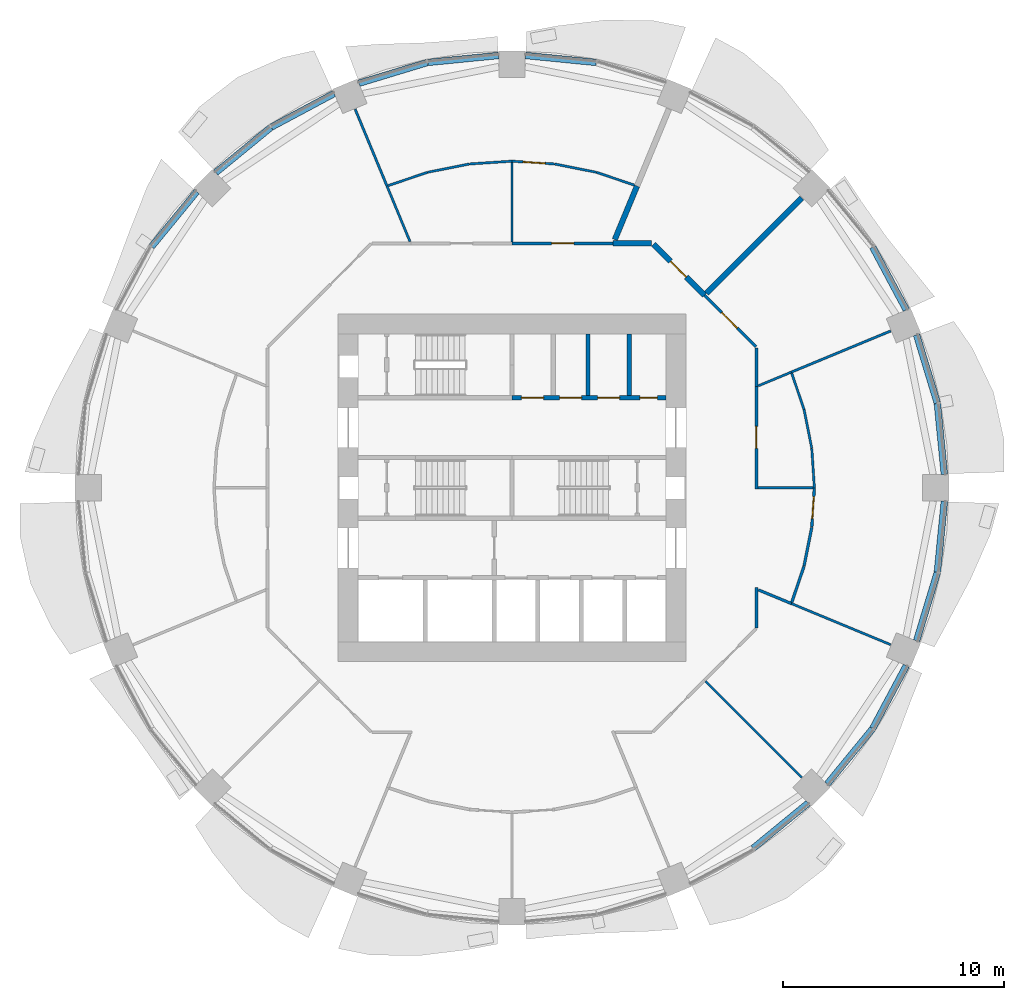
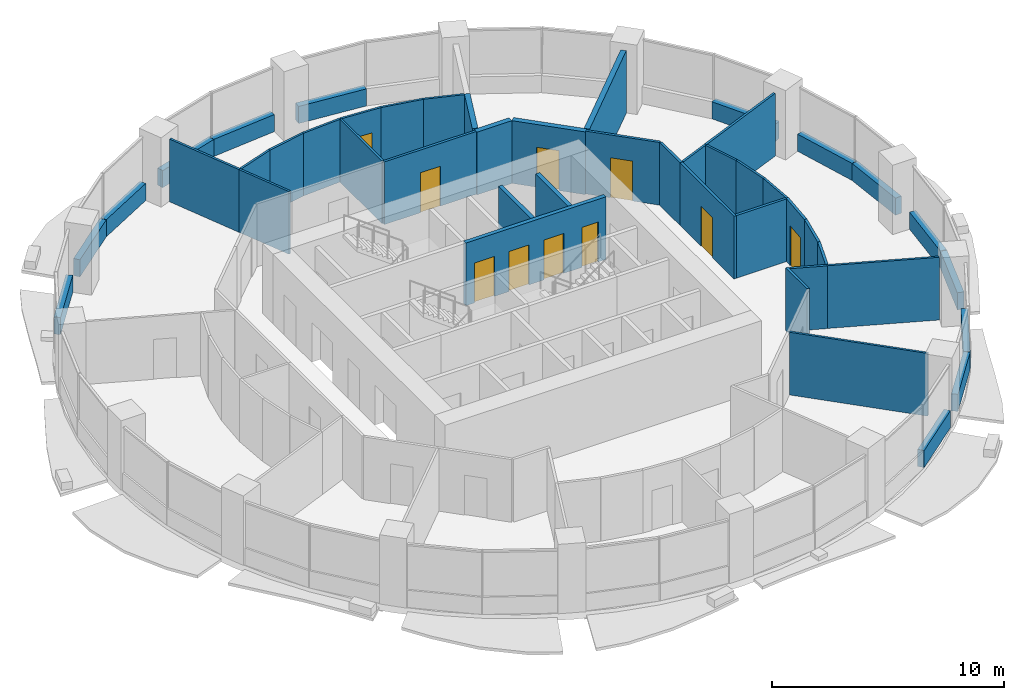
# One storey, part 10 of 15: 47 walls, 10 doors, 10 openings.
"""IFC4 building model written with IfcOpenShell, lengths in metres."""

from ifc_helpers import new_model, si_unit, direction, frame, frame_2d, origin, place, context, subcontext, project, spatial, rectangle, extrude, material, layer, layer_set, type_object, element, fill, save


model = new_model("IFC4")

# Units and contexts
model_context = context("Model", 3, precision=1e-05, world=origin(), true_north=direction((0.0, 1.0)))
body_context = subcontext(model_context, "Body", "Model", "MODEL_VIEW")
ifc_project = project(units=[si_unit("LENGTHUNIT", "METRE"), si_unit("AREAUNIT", "SQUARE_METRE"), si_unit("VOLUMEUNIT", "CUBIC_METRE"), si_unit("PLANEANGLEUNIT", "RADIAN"), si_unit("MASSUNIT", "GRAM", prefix="KILO")], contexts=[model_context])

# Site, building, storey
site_placement = place(None, origin())
site = spatial("IfcSite", under=ifc_project, at=site_placement, CompositionType="ELEMENT")
building_placement = place(site_placement, origin())
building = spatial("IfcBuilding", under=site, at=building_placement, Name="Polderwave Tower", CompositionType="ELEMENT")
storey_placement = place(building_placement, frame((0.0, 0.0, 29.85009765625)))
storey = spatial("IfcBuildingStorey", under=building, at=storey_placement, Name="L07", CompositionType="ELEMENT", Elevation=29.85009765625)

# Walls
ifc_material_1 = material(Name="Concrete C50/60 (board-marked)", Category="concrete")
ifc_layer_1 = layer(ifc_material_1, 0.300048828125)
ifc_layer_set_1 = layer_set([ifc_layer_1], Name="Concrete spandrel upstand C50/60")
wall_type_1 = type_object("IfcWallType", Name="Concrete spandrel upstand C50/60", PredefinedType="SOLIDWALL", material=ifc_layer_set_1)
for number, where, z_axis, x_axis, name in (
    (1, (19.589599609375, 0.61279296875, 0.0), (0.0, 0.0, 1.0), (-0.09816025243, 0.995170620971, 0.0), "Spandrel L07 1a"),
    (2, (19.267578125, 3.847412109375, 0.0), (0.0, 0.0, 1.0), (-0.290301899131, 0.956935111364, 0.0), "Spandrel L07 1b"),
):
    element("IfcWall", number, at=place(storey_placement, frame(where, z_axis=z_axis, x_axis=x_axis)), inside=storey, type_object=wall_type_1, Name=name, PredefinedType="SOLIDWALL", context=body_context, shape_type="SweptSolid", body=[
        extrude(rectangle(XDim=3.220947265625, YDim=0.300048828125, at=frame_2d((1.6103515625, 0.0))), origin(), (0.0, 0.0, 1.0), 0.89990234375),
    ])
wall_1_placement = place(storey_placement, frame((17.86279296875, 8.063232421875, 0.0), z_axis=(0.0, 0.0, 1.0), x_axis=(-0.471217656413, 0.882016961449, 0.0)))
element("IfcWall", 3, at=wall_1_placement, inside=storey, type_object=wall_type_1, Name="Spandrel L07 2a", PredefinedType="SOLIDWALL", context=body_context, shape_type="SweptSolid", body=[
    extrude(rectangle(XDim=3.220458984375, YDim=0.300048828125, at=frame_2d((1.6103515625, 0.0))), origin(), (0.0, 0.0, 1.0), 0.89990234375),
])
for number, where, z_axis, x_axis, name in (
    (4, (3.818115234375, 19.2734375, 0.0), (0.0, 0.0, 1.0), (-0.995170620971, 0.09816025243, 0.0), "Spandrel L07 4b"),
    (5, (-0.61279296875, 19.589599609375, 0.0), (0.0, 0.0, 1.0), (-0.995170620971, -0.09816025243, 0.0), "Spandrel L07 5a"),
    (6, (-3.847412109375, 19.267578125, 0.0), (0.0, 0.0, 1.0), (-0.956935111364, -0.290301899131, 0.0), "Spandrel L07 5b"),
):
    element("IfcWall", number, at=place(storey_placement, frame(where, z_axis=z_axis, x_axis=x_axis)), inside=storey, type_object=wall_type_1, Name=name, PredefinedType="SOLIDWALL", context=body_context, shape_type="SweptSolid", body=[
        extrude(rectangle(XDim=3.220947265625, YDim=0.300048828125, at=frame_2d((1.6103515625, 0.0))), origin(), (0.0, 0.0, 1.0), 0.89990234375),
    ])
wall_2_placement = place(storey_placement, frame((-8.063232421875, 17.86279296875, 0.0), z_axis=(0.0, 0.0, 1.0), x_axis=(-0.882016961449, -0.471217656413, 0.0)))
element("IfcWall", 7, at=wall_2_placement, inside=storey, type_object=wall_type_1, Name="Spandrel L07 6a", PredefinedType="SOLIDWALL", context=body_context, shape_type="SweptSolid", body=[
    extrude(rectangle(XDim=3.220458984375, YDim=0.300048828125, at=frame_2d((1.6103515625, 0.0))), origin(), (0.0, 0.0, 1.0), 0.89990234375),
])
for number, where, z_axis, x_axis, name in (
    (8, (-10.9287109375, 16.32861328125, 0.0), (0.0, 0.0, 1.0), (-0.773020947345, -0.634380496993, 0.0), "Spandrel L07 6b"),
    (9, (-14.285400390625, 13.41845703125, 0.0), (0.0, 0.0, 1.0), (-0.634380496993, -0.773020947345, 0.0), "Spandrel L07 7a"),
    (10, (10.9287109375, -16.32861328125, 0.0), (0.0, 0.0, 1.0), (0.773020947345, 0.634380496993, 0.0), "Spandrel L07 14b"),
    (11, (14.285400390625, -13.41845703125, 0.0), (0.0, 0.0, 1.0), (0.634380496993, 0.773020947345, 0.0), "Spandrel L07 15a"),
):
    element("IfcWall", number, at=place(storey_placement, frame(where, z_axis=z_axis, x_axis=x_axis)), inside=storey, type_object=wall_type_1, Name=name, PredefinedType="SOLIDWALL", context=body_context, shape_type="SweptSolid", body=[
        extrude(rectangle(XDim=3.220703125, YDim=0.300048828125, at=frame_2d((1.6103515625, 0.0))), origin(), (0.0, 0.0, 1.0), 0.89990234375),
    ])
wall_3_placement = place(storey_placement, frame((16.34521484375, -10.90380859375, 0.0), z_axis=(0.0, 0.0, 1.0), x_axis=(0.471217656413, 0.882016961449, 0.0)))
element("IfcWall", 12, at=wall_3_placement, inside=storey, type_object=wall_type_1, Name="Spandrel L07 15b", PredefinedType="SOLIDWALL", context=body_context, shape_type="SweptSolid", body=[
    extrude(rectangle(XDim=3.220458984375, YDim=0.300048828125, at=frame_2d((1.6103515625, 0.0))), origin(), (0.0, 0.0, 1.0), 0.89990234375),
])
for number, where, z_axis, x_axis, name in (
    (13, (18.33251953125, -6.9296875, 0.0), (0.0, 0.0, 1.0), (0.290301899131, 0.956935111364, 0.0), "Spandrel L07 16a"),
    (14, (19.2734375, -3.818115234375, 0.0), (0.0, 0.0, 1.0), (0.09816025243, 0.995170620971, 0.0), "Spandrel L07 16b"),
):
    element("IfcWall", number, at=place(storey_placement, frame(where, z_axis=z_axis, x_axis=x_axis)), inside=storey, type_object=wall_type_1, Name=name, PredefinedType="SOLIDWALL", context=body_context, shape_type="SweptSolid", body=[
        extrude(rectangle(XDim=3.220947265625, YDim=0.300048828125, at=frame_2d((1.6103515625, 0.0))), origin(), (0.0, 0.0, 1.0), 0.89990234375),
    ])
ifc_material_2 = material(Name="Gypsum board partition")
ifc_layer_2 = layer(ifc_material_2, 0.199951171875)
ifc_layer_set_2 = layer_set([ifc_layer_2], Name="Core room partition 200")
wall_type_2 = type_object("IfcWallType", Name="Core room partition 200", PredefinedType="PARTITIONING", material=ifc_layer_set_2)
wall_4_placement = place(storey_placement, frame((3.444580078125, 4.174072265625, 0.0), z_axis=(0.0, 0.0, 1.0), x_axis=(0.0, 1.0, 0.0)))
element("IfcWall", 15, at=wall_4_placement, inside=storey, type_object=wall_type_2, Name="L07 room partition N2", PredefinedType="PARTITIONING", context=body_context, shape_type="SweptSolid", body=[
    extrude(rectangle(XDim=2.800048828125, YDim=0.199951171875, at=frame_2d((1.39990234375, 0.0))), origin(), (0.0, 0.0, 1.0), 3.2998046875),
])

# Wall, openings, doors
ifc_material_3 = material(Name="Concrete C50/60", Category="concrete")
ifc_layer_3 = layer(ifc_material_3, 0.199951171875)
ifc_layer_set_3 = layer_set([ifc_layer_3], Name="Core web wall 200")
wall_type_3 = type_object("IfcWallType", Name="Core web wall 200", PredefinedType="SHEAR", material=ifc_layer_set_3)
wall_5_placement = place(storey_placement, frame((0.0, 4.073974609375, 0.0), z_axis=(0.0, 0.0, 1.0), x_axis=(1.0, 0.0, 0.0)))
wall_5 = element("IfcWall", 16, at=wall_5_placement, inside=storey, type_object=wall_type_3, Name="L07 north front wall 2", PredefinedType="SHEAR", context=body_context, shape_type="SweptSolid", body=[
    extrude(rectangle(XDim=6.97412109375, YDim=0.199951171875, at=frame_2d((3.487060546875, 0.0))), origin(), (0.0, 0.0, 1.0), 3.2998046875),
])
opening_1_placement = place(wall_5_placement, frame((0.430419921875, 0.0, 0.0)))
opening_1 = element("IfcOpeningElement", 17, at=opening_1_placement, cuts=wall_5, Name="Opening L07-D14", PredefinedType="OPENING", context=body_context, shape_type="SweptSolid", body=[
    extrude(rectangle(XDim=1.0, YDim=2.10009765625, at=frame_2d((0.5, 1.050048828125))), frame((0.0, 0.10986328125, 0.0), z_axis=(0.0, -1.0, 0.0), x_axis=(1.0, 0.0, 0.0)), (0.0, 0.0, 1.0), 0.219970703125),
])
opening_2_placement = place(wall_5_placement, frame((2.152587890625, 0.0, 0.0)))
opening_2 = element("IfcOpeningElement", 18, at=opening_2_placement, cuts=wall_5, Name="Opening L07-D15", PredefinedType="OPENING", context=body_context, shape_type="SweptSolid", body=[
    extrude(rectangle(XDim=1.0, YDim=2.10009765625, at=frame_2d((0.5, 1.050048828125))), frame((0.0, 0.10986328125, 0.0), z_axis=(0.0, -1.0, 0.0), x_axis=(1.0, 0.0, 0.0)), (0.0, 0.0, 1.0), 0.219970703125),
])
opening_3_placement = place(wall_5_placement, frame((3.875, 0.0, 0.0)))
opening_3 = element("IfcOpeningElement", 19, at=opening_3_placement, cuts=wall_5, Name="Opening L07-D16", PredefinedType="OPENING", context=body_context, shape_type="SweptSolid", body=[
    extrude(rectangle(XDim=1.0, YDim=2.10009765625, at=frame_2d((0.5, 1.050048828125))), frame((0.0, 0.10986328125, 0.0), z_axis=(0.0, -1.0, 0.0), x_axis=(1.0, 0.0, 0.0)), (0.0, 0.0, 1.0), 0.219970703125),
])
opening_4_placement = place(wall_5_placement, frame((5.789794921875, 0.0, 0.0)))
opening_4 = element("IfcOpeningElement", 20, at=opening_4_placement, cuts=wall_5, Name="Opening L07-D17", PredefinedType="OPENING", context=body_context, shape_type="SweptSolid", body=[
    extrude(rectangle(XDim=0.800048828125, YDim=2.10009765625, at=frame_2d((0.39990234375, 1.050048828125))), frame((0.0, 0.10986328125, 0.0), z_axis=(0.0, -1.0, 0.0), x_axis=(1.0, 0.0, 0.0)), (0.0, 0.0, 1.0), 0.219970703125),
])
ifc_material_4 = material(Name="Timber door leaf", Category="wood")
door_type_1 = type_object("IfcDoorType", Name="Accessible WC door 1000", OperationType="NOTDEFINED", PredefinedType="DOOR", material=ifc_material_4)
door_1_placement = place(opening_1_placement, origin())
door_1 = element("IfcDoor", 21, at=door_1_placement, inside=storey, type_object=door_type_1, Name="Accessible WC door", OperationType="SINGLE_SWING_LEFT", OverallHeight=2.10009765625, OverallWidth=1.0, PredefinedType="DOOR", context=body_context, shape_type="SweptSolid", body=[
    extrude(rectangle(XDim=1.0, YDim=2.10009765625, at=frame_2d((0.5, 1.050048828125))), frame((0.0, 0.02490234375, 0.0), z_axis=(0.0, -1.0, 0.0), x_axis=(1.0, 0.0, 0.0)), (0.0, 0.0, 1.0), 0.050048828125),
])
fill(opening_1, door_1)
ifc_material_5 = material(Name="Steel fire door", Category="steel")
door_type_2 = type_object("IfcDoorType", Name="Riser door 800", OperationType="NOTDEFINED", PredefinedType="DOOR", material=ifc_material_5)
door_2_placement = place(opening_4_placement, frame((0.800048828125, 0.0, 0.0), z_axis=(0.0, 0.0, 1.0), x_axis=(-1.0, 0.0, 0.0)))
door_2 = element("IfcDoor", 22, at=door_2_placement, inside=storey, type_object=door_type_2, Name="Riser door", OperationType="SINGLE_SWING_LEFT", OverallHeight=2.10009765625, OverallWidth=0.800048828125, PredefinedType="DOOR", context=body_context, shape_type="SweptSolid", body=[
    extrude(rectangle(XDim=0.800048828125, YDim=2.10009765625, at=frame_2d((0.39990234375, 1.050048828125))), frame((0.0, 0.02490234375, 0.0), z_axis=(0.0, -1.0, 0.0), x_axis=(1.0, 0.0, 0.0)), (0.0, 0.0, 1.0), 0.050048828125),
])
fill(opening_4, door_2)
door_type_3 = type_object("IfcDoorType", Name="Room door 1000", OperationType="NOTDEFINED", PredefinedType="DOOR", material=ifc_material_4)
door_3_placement = place(opening_2_placement, frame((1.0, 0.0, 0.0), z_axis=(0.0, 0.0, 1.0), x_axis=(-1.0, 0.0, 0.0)))
door_3 = element("IfcDoor", 23, at=door_3_placement, inside=storey, type_object=door_type_3, Name="Pump room door", OperationType="SINGLE_SWING_RIGHT", OverallHeight=2.10009765625, OverallWidth=1.0, PredefinedType="DOOR", context=body_context, shape_type="SweptSolid", body=[
    extrude(rectangle(XDim=1.0, YDim=2.10009765625, at=frame_2d((0.5, 1.050048828125))), frame((0.0, 0.02490234375, 0.0), z_axis=(0.0, -1.0, 0.0), x_axis=(1.0, 0.0, 0.0)), (0.0, 0.0, 1.0), 0.050048828125),
])
fill(opening_2, door_3)
door_4_placement = place(opening_3_placement, origin())
door_4 = element("IfcDoor", 24, at=door_4_placement, inside=storey, type_object=door_type_3, Name="Cleaner's store door", OperationType="SINGLE_SWING_RIGHT", OverallHeight=2.10009765625, OverallWidth=1.0, PredefinedType="DOOR", context=body_context, shape_type="SweptSolid", body=[
    extrude(rectangle(XDim=1.0, YDim=2.10009765625, at=frame_2d((0.5, 1.050048828125))), frame((0.0, 0.02490234375, 0.0), z_axis=(0.0, -1.0, 0.0), x_axis=(1.0, 0.0, 0.0)), (0.0, 0.0, 1.0), 0.050048828125),
])
fill(opening_3, door_4)

# Wall, opening, door
ifc_material_6 = material(Name="Fire-resisting board on steel studs", Category="steel")
ifc_layer_4 = layer(ifc_material_6, 0.125)
ifc_layer_set_4 = layer_set([ifc_layer_4], Name="Corridor wall 125 mm EI 60")
wall_type_4 = type_object("IfcWallType", Name="Corridor wall 125 mm EI 60", PredefinedType="PARTITIONING", material=ifc_layer_set_4)
wall_6_placement = place(storey_placement, frame((11.073974609375, 4.5869140625, 0.0), z_axis=(0.0, 0.0, 1.0), x_axis=(0.0, -1.0, 0.0)))
wall_6 = element("IfcWall", 25, at=wall_6_placement, inside=storey, type_object=wall_type_4, Name="IN-L07-W001", PredefinedType="PARTITIONING", context=body_context, shape_type="SweptSolid", body=[
    extrude(rectangle(XDim=4.6494140625, YDim=0.125, at=frame_2d((2.32470703125, 0.0))), origin(), (0.0, 0.0, 1.0), 3.2998046875),
])
opening_5_placement = place(wall_6_placement, frame((1.800048828125, 0.0, 0.0)))
opening_5 = element("IfcOpeningElement", 26, at=opening_5_placement, cuts=wall_6, Name="Opening L07-D50", PredefinedType="OPENING", context=body_context, shape_type="SweptSolid", body=[
    extrude(rectangle(XDim=1.0, YDim=2.10009765625, at=frame_2d((0.5, 1.050048828125))), frame((0.0, 0.072509765625, 0.0), z_axis=(0.0, -1.0, 0.0), x_axis=(1.0, 0.0, 0.0)), (0.0, 0.0, 1.0), 0.14501953125),
])
ifc_material_7 = material(Name="Timber fire door leaf", Category="wood")
door_type_4 = type_object("IfcDoorType", Name="Fire door FD30S 1000 x 2100", OperationType="NOTDEFINED", PredefinedType="DOOR", material=ifc_material_7)
door_5_placement = place(opening_5_placement, origin())
door_5 = element("IfcDoor", 27, at=door_5_placement, inside=storey, type_object=door_type_4, Name="Door L07-D50", OperationType="SINGLE_SWING_LEFT", OverallHeight=2.10009765625, OverallWidth=1.0, PredefinedType="DOOR", context=body_context, shape_type="SweptSolid", body=[
    extrude(rectangle(XDim=1.0, YDim=2.10009765625, at=frame_2d((0.5, 1.050048828125))), frame((0.0, 0.02490234375, 0.0), z_axis=(0.0, -1.0, 0.0), x_axis=(1.0, 0.0, 0.0)), (0.0, 0.0, 1.0), 0.050048828125),
])
fill(opening_5, door_5)

wall_7_placement = place(storey_placement, frame((8.722412109375, 8.722412109375, 0.0), z_axis=(0.0, 0.0, 1.0), x_axis=(0.707143776336, -0.707069784102, 0.0)))
wall_7 = element("IfcWall", 28, at=wall_7_placement, inside=storey, type_object=wall_type_4, Name="IN-L07-W002", PredefinedType="PARTITIONING", context=body_context, shape_type="SweptSolid", body=[
    extrude(rectangle(XDim=3.299560546875, YDim=0.125, at=frame_2d((1.64990234375, 0.0))), origin(), (0.0, 0.0, 1.0), 3.2998046875),
])
opening_6_placement = place(wall_7_placement, frame((1.10009765625, 0.0, 0.0)))
opening_6 = element("IfcOpeningElement", 29, at=opening_6_placement, cuts=wall_7, Name="Opening L07-D51", PredefinedType="OPENING", context=body_context, shape_type="SweptSolid", body=[
    extrude(rectangle(XDim=1.0, YDim=2.10009765625, at=frame_2d((0.5, 1.050048828125))), frame((0.0, 0.072509765625, 0.0), z_axis=(0.0, -1.0, 0.0), x_axis=(1.0, 0.0, 0.0)), (0.0, 0.0, 1.0), 0.14501953125),
])
door_6_placement = place(opening_6_placement, origin())
door_6 = element("IfcDoor", 30, at=door_6_placement, inside=storey, type_object=door_type_4, Name="Door L07-D51", OperationType="SINGLE_SWING_LEFT", OverallHeight=2.10009765625, OverallWidth=1.0, PredefinedType="DOOR", context=body_context, shape_type="SweptSolid", body=[
    extrude(rectangle(XDim=1.0, YDim=2.10009765625, at=frame_2d((0.5, 1.050048828125))), frame((0.0, 0.02490234375, 0.0), z_axis=(0.0, -1.0, 0.0), x_axis=(1.0, 0.0, 0.0)), (0.0, 0.0, 1.0), 0.050048828125),
])
fill(opening_6, door_6)

# Walls
wall_8_placement = place(storey_placement, frame((11.073974609375, 6.34521484375, 0.0), z_axis=(0.0, 0.0, 1.0), x_axis=(0.0, -1.0, 0.0)))
element("IfcWall", 31, at=wall_8_placement, inside=storey, type_object=wall_type_4, Name="IN-L07-W003", PredefinedType="PARTITIONING", context=body_context, shape_type="SweptSolid", body=[
    extrude(rectangle(XDim=1.75830078125, YDim=0.125, at=frame_2d((0.879150390625, 0.0))), origin(), (0.0, 0.0, 1.0), 3.2998046875),
])
wall_9_placement = place(storey_placement, frame((11.073974609375, -4.5244140625, 0.0), z_axis=(0.0, 0.0, 1.0), x_axis=(0.0, -1.0, 0.0)))
element("IfcWall", 32, at=wall_9_placement, inside=storey, type_object=wall_type_4, Name="IN-L07-W005", PredefinedType="PARTITIONING", context=body_context, shape_type="SweptSolid", body=[
    extrude(rectangle(XDim=1.82080078125, YDim=0.125, at=frame_2d((0.910400390625, 0.0))), origin(), (0.0, 0.0, 1.0), 3.2998046875),
])

# Wall, opening, door
wall_10_placement = place(storey_placement, frame((0.0, 11.073974609375, 0.0), z_axis=(0.0, 0.0, 1.0), x_axis=(1.0, 0.0, 0.0)))
wall_10 = element("IfcWall", 33, at=wall_10_placement, inside=storey, type_object=wall_type_4, Name="IN-L07-W008", PredefinedType="PARTITIONING", context=body_context, shape_type="SweptSolid", body=[
    extrude(rectangle(XDim=4.5869140625, YDim=0.125, at=frame_2d((2.29345703125, 0.0))), origin(), (0.0, 0.0, 1.0), 3.2998046875),
])
opening_7_placement = place(wall_10_placement, frame((1.800048828125, 0.0, 0.0)))
opening_7 = element("IfcOpeningElement", 34, at=opening_7_placement, cuts=wall_10, Name="Opening L07-D54", PredefinedType="OPENING", context=body_context, shape_type="SweptSolid", body=[
    extrude(rectangle(XDim=1.0, YDim=2.10009765625, at=frame_2d((0.5, 1.050048828125))), frame((0.0, 0.072509765625, 0.0), z_axis=(0.0, -1.0, 0.0), x_axis=(1.0, 0.0, 0.0)), (0.0, 0.0, 1.0), 0.14501953125),
])
door_7_placement = place(opening_7_placement, origin())
door_7 = element("IfcDoor", 35, at=door_7_placement, inside=storey, type_object=door_type_4, Name="Door L07-D54", OperationType="SINGLE_SWING_RIGHT", OverallHeight=2.10009765625, OverallWidth=1.0, PredefinedType="DOOR", context=body_context, shape_type="SweptSolid", body=[
    extrude(rectangle(XDim=1.0, YDim=2.10009765625, at=frame_2d((0.5, 1.050048828125))), frame((0.0, 0.02490234375, 0.0), z_axis=(0.0, -1.0, 0.0), x_axis=(1.0, 0.0, 0.0)), (0.0, 0.0, 1.0), 0.050048828125),
])
fill(opening_7, door_7)

# Walls
wall_11_placement = place(storey_placement, frame((12.6787109375, -5.1796875, 0.0), z_axis=(0.0, 0.0, 1.0), x_axis=(0.321414456213, 0.946938618569, 0.0)))
element("IfcWall", 36, at=wall_11_placement, inside=storey, type_object=wall_type_4, Name="IN-L07-W027", PredefinedType="PARTITIONING", context=body_context, shape_type="SweptSolid", body=[
    extrude(rectangle(XDim=1.72119140625, YDim=0.125, at=frame_2d((0.860595703125, 0.0))), origin(), (0.0, 0.0, 1.0), 3.2998046875),
])
wall_12_placement = place(storey_placement, frame((13.23388671875, -3.541748046875, 0.0), z_axis=(0.0, 0.0, 1.0), x_axis=(0.19516852136, 0.980769722346, 0.0)))
element("IfcWall", 37, at=wall_12_placement, inside=storey, type_object=wall_type_4, Name="IN-L07-W028", PredefinedType="PARTITIONING", context=body_context, shape_type="SweptSolid", body=[
    extrude(rectangle(XDim=1.783935546875, YDim=0.125, at=frame_2d((0.89208984375, 0.0))), origin(), (0.0, 0.0, 1.0), 3.2998046875),
])

# Wall, opening, door
wall_13_placement = place(storey_placement, frame((13.699951171875, 0.0, 0.0), z_axis=(0.0, 0.0, 1.0), x_axis=(-0.065404267719, -0.997858848617, 0.0)))
wall_13 = element("IfcWall", 38, at=wall_13_placement, inside=storey, type_object=wall_type_4, Name="IN-L07-W029", PredefinedType="PARTITIONING", context=body_context, shape_type="SweptSolid", body=[
    extrude(rectangle(XDim=1.7880859375, YDim=0.125, at=frame_2d((0.89404296875, 0.0))), origin(), (0.0, 0.0, 1.0), 3.2998046875),
])
opening_8_placement = place(wall_13_placement, frame((0.39990234375, 0.0, 0.0)))
opening_8 = element("IfcOpeningElement", 39, at=opening_8_placement, cuts=wall_13, Name="Opening L07-D62", PredefinedType="OPENING", context=body_context, shape_type="SweptSolid", body=[
    extrude(rectangle(XDim=1.0, YDim=2.10009765625, at=frame_2d((0.5, 1.050048828125))), frame((0.0, 0.072509765625, 0.0), z_axis=(0.0, -1.0, 0.0), x_axis=(1.0, 0.0, 0.0)), (0.0, 0.0, 1.0), 0.14501953125),
])
door_8_placement = place(opening_8_placement, origin())
door_8 = element("IfcDoor", 40, at=door_8_placement, inside=storey, type_object=door_type_4, Name="Door L07-D62", OperationType="SINGLE_SWING_RIGHT", OverallHeight=2.10009765625, OverallWidth=1.0, PredefinedType="DOOR", context=body_context, shape_type="SweptSolid", body=[
    extrude(rectangle(XDim=1.0, YDim=2.10009765625, at=frame_2d((0.5, 1.050048828125))), frame((0.0, 0.02490234375, 0.0), z_axis=(0.0, -1.0, 0.0), x_axis=(1.0, 0.0, 0.0)), (0.0, 0.0, 1.0), 0.050048828125),
])
fill(opening_8, door_8)

# Walls
wall_14_placement = place(storey_placement, frame((13.63330078125, 0.0, 0.0), z_axis=(0.0, 0.0, 1.0), x_axis=(-1.0, 0.0, 0.0)))
element("IfcWall", 41, at=wall_14_placement, inside=storey, type_object=wall_type_4, Name="IN-L07-W031", PredefinedType="PARTITIONING", context=body_context, shape_type="SweptSolid", body=[
    extrude(rectangle(XDim=2.496826171875, YDim=0.125, at=frame_2d((1.24853515625, 0.0))), origin(), (0.0, 0.0, 1.0), 3.2998046875),
])
wall_15_placement = place(storey_placement, frame((11.160400390625, -4.622802734375, 0.0), z_axis=(0.0, 0.0, 1.0), x_axis=(0.92383312361, -0.382795454155, 0.0)))
element("IfcWall", 42, at=wall_15_placement, inside=storey, type_object=wall_type_4, Name="IN-L07-W068", PredefinedType="PARTITIONING", context=body_context, shape_type="SweptSolid", body=[
    extrude(rectangle(XDim=1.619873046875, YDim=0.125, at=frame_2d((0.81005859375, 0.0))), origin(), (0.0, 0.0, 1.0), 3.2998046875),
])
ifc_material_8 = material(Name="Moisture-resistant board on steel studs, tiled", Category="steel")
ifc_layer_5 = layer(ifc_material_8, 0.10498046875)
ifc_layer_set_5 = layer_set([ifc_layer_5], Name="Partition 105 mm wet room board and tile")
wall_type_5 = type_object("IfcWallType", Name="Partition 105 mm wet room board and tile", PredefinedType="PARTITIONING", material=ifc_layer_set_5)
wall_16_placement = place(storey_placement, frame((13.232177734375, 3.549072265625, 0.0), z_axis=(0.0, 0.0, 1.0), x_axis=(-0.321556170711, 0.946890505327, 0.0)))
element("IfcWall", 43, at=wall_16_placement, inside=storey, type_object=wall_type_5, Name="IN-L07-W022", PredefinedType="PARTITIONING", context=body_context, shape_type="SweptSolid", body=[
    extrude(rectangle(XDim=1.730224609375, YDim=0.10498046875, at=frame_2d((0.865234375, 0.0))), origin(), (0.0, 0.0, 1.0), 3.2998046875),
])
wall_17_placement = place(storey_placement, frame((13.58203125, 1.79150390625, 0.0), z_axis=(0.0, 0.0, 1.0), x_axis=(-0.195011457743, 0.980800964186, 0.0)))
element("IfcWall", 44, at=wall_17_placement, inside=storey, type_object=wall_type_5, Name="IN-L07-W023", PredefinedType="PARTITIONING", context=body_context, shape_type="SweptSolid", body=[
    extrude(rectangle(XDim=1.78515625, YDim=0.10498046875, at=frame_2d((0.892578125, 0.0))), origin(), (0.0, 0.0, 1.0), 3.2998046875),
])
wall_18_placement = place(storey_placement, frame((13.699951171875, 0.0, 0.0), z_axis=(0.0, 0.0, 1.0), x_axis=(-0.065377544428, 0.997860599826, 0.0)))
element("IfcWall", 45, at=wall_18_placement, inside=storey, type_object=wall_type_5, Name="IN-L07-W024", PredefinedType="PARTITIONING", context=body_context, shape_type="SweptSolid", body=[
    extrude(rectangle(XDim=1.788818359375, YDim=0.10498046875, at=frame_2d((0.89453125, 0.0))), origin(), (0.0, 0.0, 1.0), 3.2998046875),
])
wall_19_placement = place(storey_placement, frame((17.156494140625, -7.1064453125, 0.0), z_axis=(0.0, 0.0, 1.0), x_axis=(-0.923896474602, 0.382642527978, 0.0)))
element("IfcWall", 46, at=wall_19_placement, inside=storey, type_object=wall_type_5, Name="IN-L07-W026", PredefinedType="PARTITIONING", context=body_context, shape_type="SweptSolid", body=[
    extrude(rectangle(XDim=4.8701171875, YDim=0.10498046875, at=frame_2d((2.43505859375, 0.0))), origin(), (0.0, 0.0, 1.0), 3.2998046875),
])
wall_20_placement = place(storey_placement, frame((11.156494140625, 4.62109375, 0.0), z_axis=(0.0, 0.0, 1.0), x_axis=(0.923813438205, 0.382842959178, 0.0)))
element("IfcWall", 47, at=wall_20_placement, inside=storey, type_object=wall_type_5, Name="IN-L07-W030", PredefinedType="PARTITIONING", context=body_context, shape_type="SweptSolid", body=[
    extrude(rectangle(XDim=1.624267578125, YDim=0.10498046875, at=frame_2d((0.81201171875, 0.0))), origin(), (0.0, 0.0, 1.0), 3.2998046875),
])

# Wall, opening, door
wall_21_placement = place(storey_placement, frame((0.0, 14.800048828125, 0.0), z_axis=(0.0, 0.0, 1.0), x_axis=(0.997856678607, -0.065437366694, 0.0)))
wall_21 = element("IfcWall", 48, at=wall_21_placement, inside=storey, type_object=wall_type_5, Name="IN-L07-W035", PredefinedType="PARTITIONING", context=body_context, shape_type="SweptSolid", body=[
    extrude(rectangle(XDim=1.9326171875, YDim=0.10498046875, at=frame_2d((0.96630859375, 0.0))), origin(), (0.0, 0.0, 1.0), 3.2998046875),
])
opening_9_placement = place(wall_21_placement, frame((0.5, 0.0, 0.0)))
opening_9 = element("IfcOpeningElement", 49, at=opening_9_placement, cuts=wall_21, Name="Opening L07-D63", PredefinedType="OPENING", context=body_context, shape_type="SweptSolid", body=[
    extrude(rectangle(XDim=1.0, YDim=2.10009765625, at=frame_2d((0.5, 1.050048828125))), frame((0.0, 0.0625, 0.0), z_axis=(0.0, -1.0, 0.0), x_axis=(1.0, 0.0, 0.0)), (0.0, 0.0, 1.0), 0.125),
])
ifc_material_9 = material(Name="Timber veneer door leaf", Category="wood")
door_type_5 = type_object("IfcDoorType", Name="Single door 1000 x 2100", OperationType="NOTDEFINED", PredefinedType="DOOR", material=ifc_material_9)
door_9_placement = place(opening_9_placement, origin())
door_9 = element("IfcDoor", 50, at=door_9_placement, inside=storey, type_object=door_type_5, Name="Door L07-D63", OperationType="SINGLE_SWING_RIGHT", OverallHeight=2.10009765625, OverallWidth=1.0, PredefinedType="DOOR", context=body_context, shape_type="SweptSolid", body=[
    extrude(rectangle(XDim=1.0, YDim=2.10009765625, at=frame_2d((0.5, 1.050048828125))), frame((0.0, 0.02490234375, 0.0), z_axis=(0.0, -1.0, 0.0), x_axis=(1.0, 0.0, 0.0)), (0.0, 0.0, 1.0), 0.050048828125),
])
fill(opening_9, door_9)

# Walls
wall_22_placement = place(storey_placement, frame((1.935302734375, 14.672607421875, 0.0), z_axis=(0.0, 0.0, 1.0), x_axis=(0.980794286951, -0.195045037578, 0.0)))
element("IfcWall", 51, at=wall_22_placement, inside=storey, type_object=wall_type_5, Name="IN-L07-W036", PredefinedType="PARTITIONING", context=body_context, shape_type="SweptSolid", body=[
    extrude(rectangle(XDim=1.928955078125, YDim=0.10498046875, at=frame_2d((0.96435546875, 0.0))), origin(), (0.0, 0.0, 1.0), 3.2998046875),
])
wall_23_placement = place(storey_placement, frame((3.833740234375, 14.294677734375, 0.0), z_axis=(0.0, 0.0, 1.0), x_axis=(0.946922795702, -0.321461069153, 0.0)))
element("IfcWall", 52, at=wall_23_placement, inside=storey, type_object=wall_type_5, Name="IN-L07-W037", PredefinedType="PARTITIONING", context=body_context, shape_type="SweptSolid", body=[
    extrude(rectangle(XDim=1.8037109375, YDim=0.10498046875, at=frame_2d((0.90185546875, 0.0))), origin(), (0.0, 0.0, 1.0), 3.2998046875),
])
wall_24_placement = place(storey_placement, frame((0.0, 11.136474609375, 0.0), z_axis=(0.0, 0.0, 1.0), x_axis=(0.0, 1.0, 0.0)))
element("IfcWall", 53, at=wall_24_placement, inside=storey, type_object=wall_type_5, Name="IN-L07-W038", PredefinedType="PARTITIONING", context=body_context, shape_type="SweptSolid", body=[
    extrude(rectangle(XDim=3.607421875, YDim=0.10498046875, at=frame_2d((1.8037109375, 0.0))), origin(), (0.0, 0.0, 1.0), 3.2998046875),
])
wall_25_placement = place(storey_placement, frame((-3.833740234375, 14.294677734375, 0.0), z_axis=(0.0, 0.0, 1.0), x_axis=(-0.946896557968, -0.321538346872, 0.0)))
element("IfcWall", 54, at=wall_25_placement, inside=storey, type_object=wall_type_5, Name="IN-L07-W039", PredefinedType="PARTITIONING", context=body_context, shape_type="SweptSolid", body=[
    extrude(rectangle(XDim=1.8740234375, YDim=0.10498046875, at=frame_2d((0.93701171875, 0.0))), origin(), (0.0, 0.0, 1.0), 3.2998046875),
])
wall_26_placement = place(storey_placement, frame((-1.935302734375, 14.672607421875, 0.0), z_axis=(0.0, 0.0, 1.0), x_axis=(-0.980794286951, -0.195045037578, 0.0)))
element("IfcWall", 55, at=wall_26_placement, inside=storey, type_object=wall_type_5, Name="IN-L07-W040", PredefinedType="PARTITIONING", context=body_context, shape_type="SweptSolid", body=[
    extrude(rectangle(XDim=1.928955078125, YDim=0.10498046875, at=frame_2d((0.96435546875, 0.0))), origin(), (0.0, 0.0, 1.0), 3.2998046875),
])
wall_27_placement = place(storey_placement, frame((0.0, 14.800048828125, 0.0), z_axis=(0.0, 0.0, 1.0), x_axis=(-0.997856678607, -0.065437366694, 0.0)))
element("IfcWall", 56, at=wall_27_placement, inside=storey, type_object=wall_type_5, Name="IN-L07-W041", PredefinedType="PARTITIONING", context=body_context, shape_type="SweptSolid", body=[
    extrude(rectangle(XDim=1.9326171875, YDim=0.10498046875, at=frame_2d((0.96630859375, 0.0))), origin(), (0.0, 0.0, 1.0), 3.2998046875),
])
wall_28_placement = place(storey_placement, frame((-4.62109375, 11.156494140625, 0.0), z_axis=(0.0, 0.0, 1.0), x_axis=(-0.382750161953, 0.923851889388, 0.0)))
element("IfcWall", 57, at=wall_28_placement, inside=storey, type_object=wall_type_5, Name="IN-L07-W043", PredefinedType="PARTITIONING", context=body_context, shape_type="SweptSolid", body=[
    extrude(rectangle(XDim=2.724365234375, YDim=0.10498046875, at=frame_2d((1.3623046875, 0.0))), origin(), (0.0, 0.0, 1.0), 3.2998046875),
])
wall_29_placement = place(storey_placement, frame((8.7666015625, -8.7666015625, 0.0), z_axis=(0.0, 0.0, 1.0), x_axis=(0.707106781187, -0.707106781187, 0.0)))
element("IfcWall", 58, at=wall_29_placement, inside=storey, type_object=wall_type_5, Name="IN-L07-W067", PredefinedType="PARTITIONING", context=body_context, shape_type="SweptSolid", body=[
    extrude(rectangle(XDim=6.17236328125, YDim=0.10498046875, at=frame_2d((3.086181640625, 0.0))), origin(), (0.0, 0.0, 1.0), 3.2998046875),
])
ifc_material_10 = material(Name="Acoustic double plasterboard on steel studs", Category="steel")
ifc_layer_6 = layer(ifc_material_10, 0.110107421875)
ifc_layer_set_6 = layer_set([ifc_layer_6], Name="Partition 110 mm acoustic double board")
wall_type_6 = type_object("IfcWallType", Name="Partition 110 mm acoustic double board", PredefinedType="PARTITIONING", material=ifc_layer_set_6)
wall_30_placement = place(storey_placement, frame((12.656982421875, 5.242919921875, 0.0), z_axis=(0.0, 0.0, 1.0), x_axis=(0.923896474602, 0.382642527978, 0.0)))
element("IfcWall", 59, at=wall_30_placement, inside=storey, type_object=wall_type_6, Name="IN-L07-W025", PredefinedType="PARTITIONING", context=body_context, shape_type="SweptSolid", body=[
    extrude(rectangle(XDim=4.8701171875, YDim=0.110107421875, at=frame_2d((2.43505859375, 0.0))), origin(), (0.0, 0.0, 1.0), 3.2998046875),
])
wall_31_placement = place(storey_placement, frame((-5.663818359375, 13.67333984375, 0.0), z_axis=(0.0, 0.0, 1.0), x_axis=(-0.38265110277, 0.923892923205, 0.0)))
element("IfcWall", 60, at=wall_31_placement, inside=storey, type_object=wall_type_6, Name="IN-L07-W042", PredefinedType="PARTITIONING", context=body_context, shape_type="SweptSolid", body=[
    extrude(rectangle(XDim=3.77001953125, YDim=0.110107421875, at=frame_2d((1.885009765625, 0.0))), origin(), (0.0, 0.0, 1.0), 3.2998046875),
])
ifc_material_11 = material(Name="Fire-resisting board on steel studs, mineral wool", Category="steel")
ifc_layer_7 = layer(ifc_material_11, 0.25)
ifc_layer_set_7 = layer_set([ifc_layer_7], Name="Plant room wall 250 mm EI 120")
wall_type_7 = type_object("IfcWallType", Name="Plant room wall 250 mm EI 120", PredefinedType="PARTITIONING", material=ifc_layer_set_7)
wall_32_placement = place(storey_placement, frame((4.5869140625, 11.073974609375, 0.0), z_axis=(0.0, 0.0, 1.0), x_axis=(1.0, 0.0, 0.0)))
element("IfcWall", 61, at=wall_32_placement, inside=storey, type_object=wall_type_7, Name="IN-L07-W006", PredefinedType="PARTITIONING", context=body_context, shape_type="SweptSolid", body=[
    extrude(rectangle(XDim=1.732421875, YDim=0.25, at=frame_2d((0.8662109375, 0.0))), origin(), (0.0, 0.0, 1.0), 3.2998046875),
])

# Wall, opening, door
wall_33_placement = place(storey_placement, frame((6.40771484375, 11.037353515625, 0.0), z_axis=(0.0, 0.0, 1.0), x_axis=(0.707069491442, -0.707144068965, 0.0)))
wall_33 = element("IfcWall", 62, at=wall_33_placement, inside=storey, type_object=wall_type_7, Name="IN-L07-W007", PredefinedType="PARTITIONING", context=body_context, shape_type="SweptSolid", body=[
    extrude(rectangle(XDim=3.273681640625, YDim=0.25, at=frame_2d((1.63671875, 0.0))), origin(), (0.0, 0.0, 1.0), 3.2998046875),
])
opening_10_placement = place(wall_33_placement, frame((1.10009765625, 0.0, 0.0)))
opening_10 = element("IfcOpeningElement", 63, at=opening_10_placement, cuts=wall_33, Name="Opening L07-D53", PredefinedType="OPENING", context=body_context, shape_type="SweptSolid", body=[
    extrude(rectangle(XDim=1.0, YDim=2.10009765625, at=frame_2d((0.5, 1.050048828125))), frame((0.0, 0.135009765625, 0.0), z_axis=(0.0, -1.0, 0.0), x_axis=(1.0, 0.0, 0.0)), (0.0, 0.0, 1.0), 0.27001953125),
])
ifc_material_12 = material(Name="Steel plant door leaf", Category="steel")
door_type_6 = type_object("IfcDoorType", Name="Plant door FD60 1000 x 2100 steel", OperationType="NOTDEFINED", PredefinedType="DOOR", material=ifc_material_12)
door_10_placement = place(opening_10_placement, origin())
door_10 = element("IfcDoor", 64, at=door_10_placement, inside=storey, type_object=door_type_6, Name="Door L07-D53", OperationType="SINGLE_SWING_LEFT", OverallHeight=2.10009765625, OverallWidth=1.0, PredefinedType="DOOR", context=body_context, shape_type="SweptSolid", body=[
    extrude(rectangle(XDim=1.0, YDim=2.10009765625, at=frame_2d((0.5, 1.050048828125))), frame((0.0, 0.02490234375, 0.0), z_axis=(0.0, -1.0, 0.0), x_axis=(1.0, 0.0, 0.0)), (0.0, 0.0, 1.0), 0.050048828125),
])
fill(opening_10, door_10)

# Walls
wall_34_placement = place(storey_placement, frame((13.131103515625, 13.131103515625, 0.0), z_axis=(0.0, 0.0, 1.0), x_axis=(-0.707106781187, -0.707106781187, 0.0)))
element("IfcWall", 65, at=wall_34_placement, inside=storey, type_object=wall_type_7, Name="IN-L07-W032", PredefinedType="PARTITIONING", context=body_context, shape_type="SweptSolid", body=[
    extrude(rectangle(XDim=6.10986328125, YDim=0.25, at=frame_2d((3.054931640625, 0.0))), origin(), (0.0, 0.0, 1.0), 3.2998046875),
])
wall_35_placement = place(storey_placement, frame((4.65869140625, 11.246826171875, 0.0), z_axis=(0.0, 0.0, 1.0), x_axis=(0.382693858119, 0.923875213954, 0.0)))
element("IfcWall", 66, at=wall_35_placement, inside=storey, type_object=wall_type_7, Name="IN-L07-W033", PredefinedType="PARTITIONING", context=body_context, shape_type="SweptSolid", body=[
    extrude(rectangle(XDim=2.62646484375, YDim=0.25, at=frame_2d((1.313232421875, 0.0))), origin(), (0.0, 0.0, 1.0), 3.2998046875),
])
ifc_material_13 = material(Name="Gypsum shaft wall system")
ifc_layer_8 = layer(ifc_material_13, 0.199951171875)
ifc_layer_set_8 = layer_set([ifc_layer_8], Name="Shaft wall 200")
wall_type_8 = type_object("IfcWallType", Name="Shaft wall 200", PredefinedType="PARTITIONING", material=ifc_layer_set_8)
wall_36_placement = place(storey_placement, frame((5.305419921875, 4.174072265625, 0.0), z_axis=(0.0, 0.0, 1.0), x_axis=(0.0, 1.0, 0.0)))
element("IfcWall", 67, at=wall_36_placement, inside=storey, type_object=wall_type_8, Name="L07 riser wall", PredefinedType="PARTITIONING", context=body_context, shape_type="SweptSolid", body=[
    extrude(rectangle(XDim=2.800048828125, YDim=0.199951171875, at=frame_2d((1.39990234375, 0.0))), origin(), (0.0, 0.0, 1.0), 3.2998046875),
])

save(model, "model.ifc")
